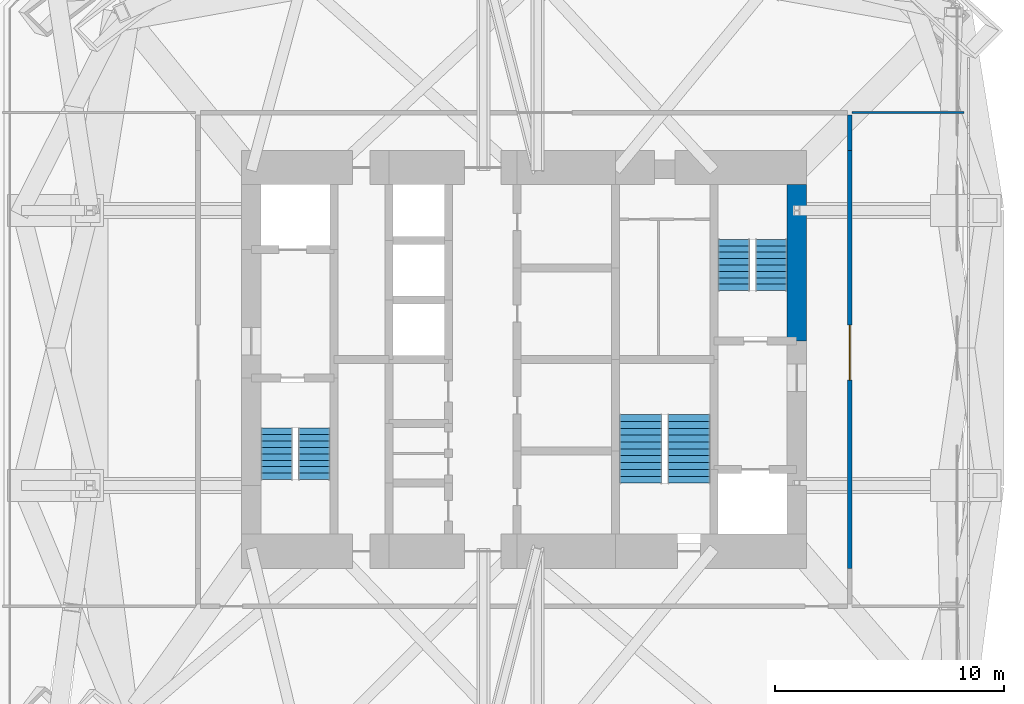
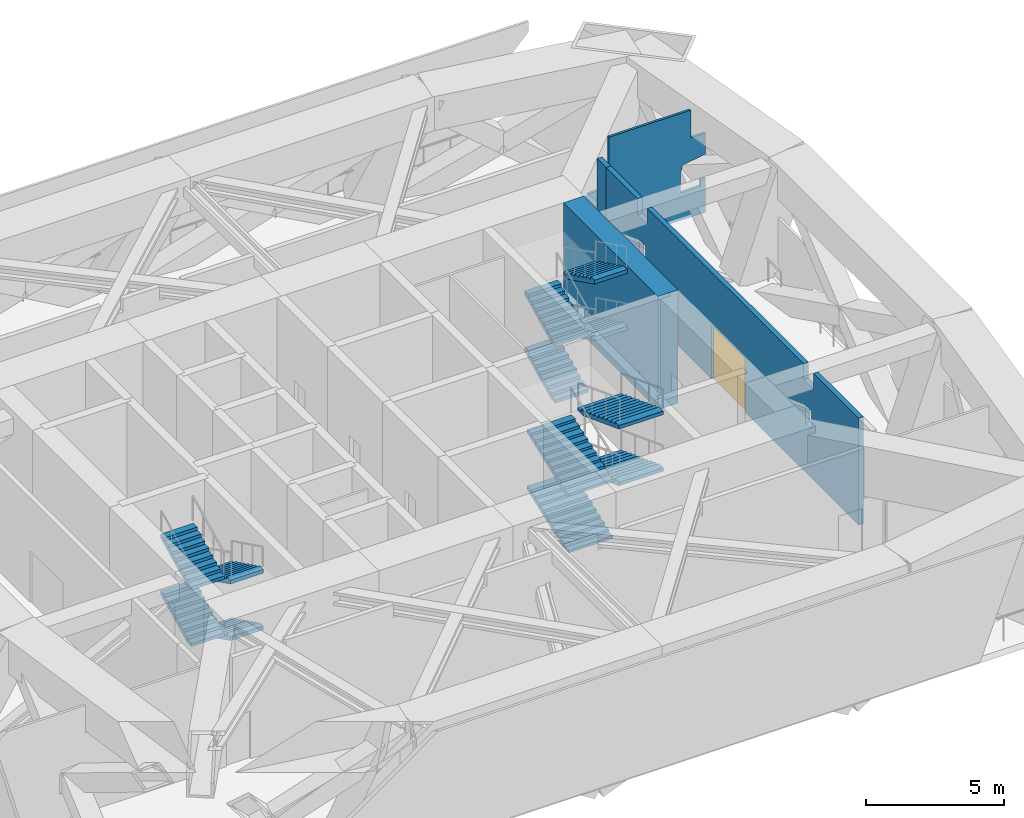
# One storey, part 6 of 8: 12 stair flights, 4 walls, 1 door, 1 opening, 3 elements without a shape of their own.
"""IFC4 building model written with IfcOpenShell, lengths in metres."""

from ifc_helpers import new_model, si_unit, direction, frame, frame_2d, origin, place, context, subcontext, project, spatial, polyline, rectangle, outline, extrude, material, layer, layer_set, constituent, constituent_set, type_object, element, fill, aggregate, save


model = new_model("IFC4")

# Units and contexts
model_context = context("Model", 3, precision=1e-05, world=origin(), true_north=direction((0.0, 1.0)))
body_context = subcontext(model_context, "Body", "Model", "MODEL_VIEW")
ifc_project = project(units=[si_unit("LENGTHUNIT", "METRE"), si_unit("AREAUNIT", "SQUARE_METRE"), si_unit("VOLUMEUNIT", "CUBIC_METRE"), si_unit("PLANEANGLEUNIT", "RADIAN"), si_unit("MASSUNIT", "GRAM", prefix="KILO")], contexts=[model_context])

# Site, building, storey
site_placement = place(None, origin())
site = spatial("IfcSite", under=ifc_project, at=site_placement, CompositionType="ELEMENT")
building_placement = place(site_placement, origin())
building = spatial("IfcBuilding", under=site, at=building_placement, Name="Jalousie Tower", CompositionType="ELEMENT")
storey_placement = place(building_placement, frame((0.0, 0.0, 149.35009765625)))
storey = spatial("IfcBuildingStorey", under=building, at=storey_placement, Name="L40", CompositionType="ELEMENT", Elevation=149.35009765625)

# Walls
ifc_material_1 = material(Name="Concrete f'c 120 MPa", Category="concrete")
ifc_layer = layer(ifc_material_1, 0.85009765625)
ifc_layer_set = layer_set([ifc_layer], Name="Concrete f'c 120 MPa")
wall_type_1 = type_object("IfcWallType", Name="CORE WALL 850", PredefinedType="SHEAR", material=ifc_layer_set)
wall_1_placement = place(storey_placement, frame((43.800048828125, 19.300048828125, 0.0), z_axis=(0.0, 0.0, 1.0), x_axis=(0.0, 1.0, 0.0)))
element("IfcWall", 1, at=wall_1_placement, inside=storey, type_object=wall_type_1, Name="Core wall EC L40", PredefinedType="SHEAR", context=body_context, shape_type="SweptSolid", body=[
    extrude(rectangle(XDim=6.824951171875, YDim=0.85009765625, at=frame_2d((3.41259765625, 0.0))), origin(), (0.0, 0.0, 1.0), 5.0),
])
ifc_material_2 = material(Name="Concrete block ASTM C90", Category="concrete")
ifc_constituent_1 = constituent(ifc_material_2, Name="Body")
ifc_material_3 = material(Name="Render")
ifc_constituent_2 = constituent(ifc_material_3, Name="Finish")
ifc_constituent_set_1 = constituent_set(constituents=[ifc_constituent_1, ifc_constituent_2])
wall_type_2 = type_object("IfcWallType", Name="CORRIDOR WALL 200", PredefinedType="PARTITIONING", material=ifc_constituent_set_1)
wall_2_placement = place(storey_placement, frame((46.125, 27.625, 0.0), z_axis=(0.0, 0.0, 1.0), x_axis=(0.0, 1.0, 0.0)))
element("IfcWall", 2, at=wall_2_placement, inside=storey, type_object=wall_type_2, Name="Corridor Wall 200 L40", PredefinedType="PARTITIONING", context=body_context, shape_type="SweptSolid", body=[
    extrude(outline(polyline([(0.0, 0.0), (1.550048828125, 0.0), (1.550048828125, 2.52001953125), (0.656494140625, 2.52001953125), (0.656494140625, 4.719970703125), (0.0, 4.719970703125), (0.0, 0.0)])), frame((0.0, 0.10009765625, 0.0), z_axis=(0.0, -1.0, 0.0), x_axis=(1.0, 0.0, 0.0)), (0.0, 0.0, 1.0), 0.199951171875),
])

# Wall, opening, door
wall_3_placement = place(storey_placement, frame((46.125, 9.375, 0.0), z_axis=(0.0, 0.0, 1.0), x_axis=(0.0, 1.0, 0.0)))
wall_3 = element("IfcWall", 3, at=wall_3_placement, inside=storey, type_object=wall_type_2, Name="Corridor Wall 200 L40", PredefinedType="PARTITIONING", context=body_context, shape_type="SweptSolid", body=[
    extrude(outline(polyline([(18.25, 0.0), (18.25, 4.719970703125), (15.97509765625, 4.719970703125), (15.97509765625, 4.02001953125), (15.27490234375, 4.02001953125), (15.27490234375, 4.719970703125), (3.97509765625, 4.719970703125), (3.97509765625, 4.02001953125), (3.27490234375, 4.02001953125), (3.27490234375, 4.719970703125), (0.0, 4.719970703125), (0.0, 0.0), (18.25, 0.0)]), holes=[polyline([(3.396484375, 2.1708984375), (3.396484375, 2.991943359375), (3.853515625, 2.991943359375), (3.853515625, 2.1708984375), (3.396484375, 2.1708984375)]), polyline([(15.396484375, 2.1708984375), (15.396484375, 2.991943359375), (15.853515625, 2.991943359375), (15.853515625, 2.1708984375), (15.396484375, 2.1708984375)])]), frame((0.0, 0.10009765625, 0.0), z_axis=(0.0, -1.0, 0.0), x_axis=(1.0, 0.0, 0.0)), (0.0, 0.0, 1.0), 0.199951171875),
])
opening_placement = place(wall_3_placement, frame((8.22509765625, 0.0, 0.0)))
opening = element("IfcOpeningElement", 4, at=opening_placement, cuts=wall_3, Name="Opening D9", PredefinedType="OPENING", context=body_context, shape_type="SweptSolid", body=[
    extrude(rectangle(XDim=2.39990234375, YDim=2.39990234375, at=frame_2d((1.199951171875, 1.199951171875))), frame((0.0, 0.10986328125, 0.0), z_axis=(0.0, -1.0, 0.0), x_axis=(1.0, 0.0, 0.0)), (0.0, 0.0, 1.0), 0.219970703125),
])
ifc_material_4 = material(Name="Steel fire door", Category="steel")
door_type = type_object("IfcDoorType", Name="PLANT DOOR 2400", OperationType="DOUBLE_DOOR_SINGLE_SWING", PredefinedType="DOOR", material=ifc_material_4)
door_placement = place(opening_placement, frame((2.39990234375, 0.0, 0.0), z_axis=(0.0, 0.0, 1.0), x_axis=(-1.0, 0.0, 0.0)))
door = element("IfcDoor", 5, at=door_placement, inside=storey, type_object=door_type, Name="Water tank room door", OperationType="DOUBLE_DOOR_SINGLE_SWING", OverallHeight=2.39990234375, OverallWidth=2.39990234375, PredefinedType="DOOR", context=body_context, shape_type="SweptSolid", body=[
    extrude(rectangle(XDim=2.39990234375, YDim=2.39990234375, at=frame_2d((1.199951171875, 1.199951171875))), frame((0.0, 0.02490234375, 0.0), z_axis=(0.0, -1.0, 0.0), x_axis=(1.0, 0.0, 0.0)), (0.0, 0.0, 1.0), 0.050048828125),
])
fill(opening, door)

# Wall
ifc_material_5 = material(Name="Gypsum board", Category="gypsum")
ifc_constituent_3 = constituent(ifc_material_5, Name="Body")
ifc_material_6 = material(Name="Light-gauge steel studs ASTM A653 SS Grade 33", Category="steel")
ifc_constituent_4 = constituent(ifc_material_6, Name="Framing")
ifc_constituent_set_2 = constituent_set(constituents=[ifc_constituent_3, ifc_constituent_4])
wall_type_3 = type_object("IfcWallType", Name="PARTITION 100", PredefinedType="PARTITIONING", material=ifc_constituent_set_2)
wall_4_placement = place(storey_placement, frame((46.22509765625, 29.27490234375, 0.0), z_axis=(0.0, 0.0, 1.0), x_axis=(1.0, 0.0, 0.0)))
element("IfcWall", 6, at=wall_4_placement, inside=storey, type_object=wall_type_3, Name="Partition 100 L40", PredefinedType="PARTITIONING", context=body_context, shape_type="SweptSolid", body=[
    extrude(outline(polyline([(0.8359375, 2.52001953125), (0.0, 2.52001953125), (0.0, 0.0), (4.875, 0.0), (4.875, 1.5), (4.660400390625, 1.5), (4.660400390625, 1.296875), (4.65576171875, 1.2294921875), (3.835693359375, 1.21044921875), (3.835693359375, 2.144775390625), (3.840576171875, 2.2119140625), (3.89599609375, 2.21337890625), (3.89599609375, 2.356689453125), (3.934814453125, 2.41552734375), (4.797119140625, 2.5556640625), (4.875, 2.5556640625), (4.875, 3.5), (4.2626953125, 3.5), (4.2626953125, 4.719970703125), (0.8359375, 4.719970703125), (0.8359375, 2.52001953125)])), frame((0.0, 0.050048828125, 0.0), z_axis=(0.0, -1.0, 0.0), x_axis=(1.0, 0.0, 0.0)), (0.0, 0.0, 1.0), 0.10009765625),
])

# Stair, stair flights
ifc_material_7 = material(Name="Concrete f'c 40 MPa", Category="concrete")
stair_type = type_object("IfcStairType", Name="EXIT STAIR", PredefinedType="HALF_TURN_STAIR", material=ifc_material_7)
stair_1_placement = place(storey_placement, origin())
stair_1 = element("IfcStair", 7, at=stair_1_placement, inside=storey, type_object=stair_type, Name="Exit stair A L40", PredefinedType="HALF_TURN_STAIR")
ifc_material_8 = material(Name="Concrete f'c 40 MPa", Category="concrete")
stair_flight_type = type_object("IfcStairFlightType", Name="STAIR FLIGHT", PredefinedType="STRAIGHT", material=ifc_material_8)
stair_flight_1_placement = place(storey_placement, frame((22.737548828125, 15.49755859375, 0.0), z_axis=(0.0, 0.0, 1.0), x_axis=(0.0, -1.0, 0.0)))
stair_flight_1 = element("IfcStairFlight", 8, at=stair_flight_1_placement, type_object=stair_flight_type, Name="ST-A flight 1", NumberOfRisers=9, NumberOfTreads=8, PredefinedType="STRAIGHT", RiserHeight=0.138888889, TreadLength=0.28, context=body_context, shape_type="SweptSolid", body=[
    extrude(outline(polyline([(0.0, 0.0), (0.0, 0.138916015625), (0.280029296875, 0.138916015625), (0.280029296875, 0.27783203125), (0.56005859375, 0.27783203125), (0.56005859375, 0.416748046875), (0.840087890625, 0.416748046875), (0.840087890625, 0.5556640625), (1.1201171875, 0.5556640625), (1.1201171875, 0.6943359375), (1.39990234375, 0.6943359375), (1.39990234375, 0.833251953125), (1.679931640625, 0.833251953125), (1.679931640625, 0.97216796875), (1.9599609375, 0.97216796875), (1.9599609375, 1.111083984375), (2.239990234375, 1.111083984375), (2.239990234375, 1.25), (2.239990234375, 0.94384765625), (0.33740234375, 0.0), (0.0, 0.0)])), frame((0.0, 0.6875, 0.0), z_axis=(0.0, -1.0, 0.0), x_axis=(1.0, 0.0, 0.0)), (0.0, 0.0, 1.0), 1.375),
])
stair_flight_2_placement = place(storey_placement, frame((21.112548828125, 13.257568359375, 1.25), z_axis=(0.0, 0.0, 1.0), x_axis=(0.0, 1.0, 0.0)))
stair_flight_2 = element("IfcStairFlight", 9, at=stair_flight_2_placement, type_object=stair_flight_type, Name="ST-A flight 2", NumberOfRisers=9, NumberOfTreads=8, PredefinedType="STRAIGHT", RiserHeight=0.138888889, TreadLength=0.28, context=body_context, shape_type="SweptSolid", body=[
    extrude(outline(polyline([(0.0, 0.0), (0.0, 0.138916015625), (0.280029296875, 0.138916015625), (0.280029296875, 0.27783203125), (0.56005859375, 0.27783203125), (0.56005859375, 0.416748046875), (0.840087890625, 0.416748046875), (0.840087890625, 0.5556640625), (1.1201171875, 0.5556640625), (1.1201171875, 0.6943359375), (1.39990234375, 0.6943359375), (1.39990234375, 0.833251953125), (1.679931640625, 0.833251953125), (1.679931640625, 0.97216796875), (1.9599609375, 0.97216796875), (1.9599609375, 1.111083984375), (2.239990234375, 1.111083984375), (2.239990234375, 1.25), (2.239990234375, 0.94384765625), (0.33740234375, 0.0), (0.0, 0.0)])), frame((0.0, 0.6875, 0.0), z_axis=(0.0, -1.0, 0.0), x_axis=(1.0, 0.0, 0.0)), (0.0, 0.0, 1.0), 1.375),
])
stair_flight_3_placement = place(storey_placement, frame((22.737548828125, 15.49755859375, 2.5), z_axis=(0.0, 0.0, 1.0), x_axis=(0.0, -1.0, 0.0)))
stair_flight_3 = element("IfcStairFlight", 10, at=stair_flight_3_placement, type_object=stair_flight_type, Name="ST-A flight 3", NumberOfRisers=9, NumberOfTreads=8, PredefinedType="STRAIGHT", RiserHeight=0.138888889, TreadLength=0.28, context=body_context, shape_type="SweptSolid", body=[
    extrude(outline(polyline([(0.0, 0.0), (0.0, 0.138916015625), (0.280029296875, 0.138916015625), (0.280029296875, 0.27783203125), (0.56005859375, 0.27783203125), (0.56005859375, 0.416748046875), (0.840087890625, 0.416748046875), (0.840087890625, 0.5556640625), (1.1201171875, 0.5556640625), (1.1201171875, 0.6943359375), (1.39990234375, 0.6943359375), (1.39990234375, 0.833251953125), (1.679931640625, 0.833251953125), (1.679931640625, 0.97216796875), (1.9599609375, 0.97216796875), (1.9599609375, 1.111083984375), (2.239990234375, 1.111083984375), (2.239990234375, 1.25), (2.239990234375, 0.94384765625), (0.33740234375, 0.0), (0.0, 0.0)])), frame((0.0, 0.6875, 0.0), z_axis=(0.0, -1.0, 0.0), x_axis=(1.0, 0.0, 0.0)), (0.0, 0.0, 1.0), 1.375),
])
stair_flight_4_placement = place(storey_placement, frame((21.112548828125, 13.257568359375, 3.75), z_axis=(0.0, 0.0, 1.0), x_axis=(0.0, 1.0, 0.0)))
stair_flight_4 = element("IfcStairFlight", 11, at=stair_flight_4_placement, type_object=stair_flight_type, Name="ST-A flight 4", NumberOfRisers=9, NumberOfTreads=8, PredefinedType="STRAIGHT", RiserHeight=0.138888889, TreadLength=0.28, context=body_context, shape_type="SweptSolid", body=[
    extrude(outline(polyline([(0.0, 0.0), (0.0, 0.138916015625), (0.280029296875, 0.138916015625), (0.280029296875, 0.27783203125), (0.56005859375, 0.27783203125), (0.56005859375, 0.416748046875), (0.840087890625, 0.416748046875), (0.840087890625, 0.5556640625), (1.1201171875, 0.5556640625), (1.1201171875, 0.6943359375), (1.39990234375, 0.6943359375), (1.39990234375, 0.833251953125), (1.679931640625, 0.833251953125), (1.679931640625, 0.97216796875), (1.9599609375, 0.97216796875), (1.9599609375, 1.111083984375), (2.239990234375, 1.111083984375), (2.239990234375, 1.25), (2.239990234375, 0.94384765625), (0.33740234375, 0.0), (0.0, 0.0)])), frame((0.0, 0.6875, 0.0), z_axis=(0.0, -1.0, 0.0), x_axis=(1.0, 0.0, 0.0)), (0.0, 0.0, 1.0), 1.375),
])
aggregate(stair_1, [stair_flight_1, stair_flight_2, stair_flight_3, stair_flight_4])

stair_2_placement = place(storey_placement, origin())
stair_2 = element("IfcStair", 12, at=stair_2_placement, inside=storey, type_object=stair_type, Name="Exit stair B L40", PredefinedType="HALF_TURN_STAIR")
stair_flight_5_placement = place(storey_placement, frame((41.0625, 21.50244140625, 0.0), z_axis=(0.0, 0.0, 1.0), x_axis=(0.0, 1.0, 0.0)))
stair_flight_5 = element("IfcStairFlight", 13, at=stair_flight_5_placement, type_object=stair_flight_type, Name="ST-B flight 1", NumberOfRisers=9, NumberOfTreads=8, PredefinedType="STRAIGHT", RiserHeight=0.138888889, TreadLength=0.28, context=body_context, shape_type="SweptSolid", body=[
    extrude(outline(polyline([(0.0, 0.0), (0.0, 0.138916015625), (0.280029296875, 0.138916015625), (0.280029296875, 0.27783203125), (0.56005859375, 0.27783203125), (0.56005859375, 0.416748046875), (0.840087890625, 0.416748046875), (0.840087890625, 0.5556640625), (1.1201171875, 0.5556640625), (1.1201171875, 0.6943359375), (1.39990234375, 0.6943359375), (1.39990234375, 0.833251953125), (1.679931640625, 0.833251953125), (1.679931640625, 0.97216796875), (1.9599609375, 0.97216796875), (1.9599609375, 1.111083984375), (2.239990234375, 1.111083984375), (2.239990234375, 1.25), (2.239990234375, 0.94384765625), (0.33740234375, 0.0), (0.0, 0.0)])), frame((0.0, 0.6875, 0.0), z_axis=(0.0, -1.0, 0.0), x_axis=(1.0, 0.0, 0.0)), (0.0, 0.0, 1.0), 1.375),
])
stair_flight_6_placement = place(storey_placement, frame((42.6875, 23.742431640625, 1.25), z_axis=(0.0, 0.0, 1.0), x_axis=(0.0, -1.0, 0.0)))
stair_flight_6 = element("IfcStairFlight", 14, at=stair_flight_6_placement, type_object=stair_flight_type, Name="ST-B flight 2", NumberOfRisers=9, NumberOfTreads=8, PredefinedType="STRAIGHT", RiserHeight=0.138888889, TreadLength=0.28, context=body_context, shape_type="SweptSolid", body=[
    extrude(outline(polyline([(0.0, 0.0), (0.0, 0.138916015625), (0.280029296875, 0.138916015625), (0.280029296875, 0.27783203125), (0.56005859375, 0.27783203125), (0.56005859375, 0.416748046875), (0.840087890625, 0.416748046875), (0.840087890625, 0.5556640625), (1.1201171875, 0.5556640625), (1.1201171875, 0.6943359375), (1.39990234375, 0.6943359375), (1.39990234375, 0.833251953125), (1.679931640625, 0.833251953125), (1.679931640625, 0.97216796875), (1.9599609375, 0.97216796875), (1.9599609375, 1.111083984375), (2.239990234375, 1.111083984375), (2.239990234375, 1.25), (2.239990234375, 0.94384765625), (0.33740234375, 0.0), (0.0, 0.0)])), frame((0.0, 0.6875, 0.0), z_axis=(0.0, -1.0, 0.0), x_axis=(1.0, 0.0, 0.0)), (0.0, 0.0, 1.0), 1.375),
])
stair_flight_7_placement = place(storey_placement, frame((41.0625, 21.50244140625, 2.5), z_axis=(0.0, 0.0, 1.0), x_axis=(0.0, 1.0, 0.0)))
stair_flight_7 = element("IfcStairFlight", 15, at=stair_flight_7_placement, type_object=stair_flight_type, Name="ST-B flight 3", NumberOfRisers=9, NumberOfTreads=8, PredefinedType="STRAIGHT", RiserHeight=0.138888889, TreadLength=0.28, context=body_context, shape_type="SweptSolid", body=[
    extrude(outline(polyline([(0.0, 0.0), (0.0, 0.138916015625), (0.280029296875, 0.138916015625), (0.280029296875, 0.27783203125), (0.56005859375, 0.27783203125), (0.56005859375, 0.416748046875), (0.840087890625, 0.416748046875), (0.840087890625, 0.5556640625), (1.1201171875, 0.5556640625), (1.1201171875, 0.6943359375), (1.39990234375, 0.6943359375), (1.39990234375, 0.833251953125), (1.679931640625, 0.833251953125), (1.679931640625, 0.97216796875), (1.9599609375, 0.97216796875), (1.9599609375, 1.111083984375), (2.239990234375, 1.111083984375), (2.239990234375, 1.25), (2.239990234375, 0.94384765625), (0.33740234375, 0.0), (0.0, 0.0)])), frame((0.0, 0.6875, 0.0), z_axis=(0.0, -1.0, 0.0), x_axis=(1.0, 0.0, 0.0)), (0.0, 0.0, 1.0), 1.375),
])
stair_flight_8_placement = place(storey_placement, frame((42.6875, 23.742431640625, 3.75), z_axis=(0.0, 0.0, 1.0), x_axis=(0.0, -1.0, 0.0)))
stair_flight_8 = element("IfcStairFlight", 16, at=stair_flight_8_placement, type_object=stair_flight_type, Name="ST-B flight 4", NumberOfRisers=9, NumberOfTreads=8, PredefinedType="STRAIGHT", RiserHeight=0.138888889, TreadLength=0.28, context=body_context, shape_type="SweptSolid", body=[
    extrude(outline(polyline([(0.0, 0.0), (0.0, 0.138916015625), (0.280029296875, 0.138916015625), (0.280029296875, 0.27783203125), (0.56005859375, 0.27783203125), (0.56005859375, 0.416748046875), (0.840087890625, 0.416748046875), (0.840087890625, 0.5556640625), (1.1201171875, 0.5556640625), (1.1201171875, 0.6943359375), (1.39990234375, 0.6943359375), (1.39990234375, 0.833251953125), (1.679931640625, 0.833251953125), (1.679931640625, 0.97216796875), (1.9599609375, 0.97216796875), (1.9599609375, 1.111083984375), (2.239990234375, 1.111083984375), (2.239990234375, 1.25), (2.239990234375, 0.94384765625), (0.33740234375, 0.0), (0.0, 0.0)])), frame((0.0, 0.6875, 0.0), z_axis=(0.0, -1.0, 0.0), x_axis=(1.0, 0.0, 0.0)), (0.0, 0.0, 1.0), 1.375),
])
aggregate(stair_2, [stair_flight_5, stair_flight_6, stair_flight_7, stair_flight_8])

stair_3_placement = place(storey_placement, origin())
stair_3 = element("IfcStair", 17, at=stair_3_placement, inside=storey, type_object=stair_type, Name="Exit stair C L40", PredefinedType="HALF_TURN_STAIR")
stair_flight_9_placement = place(storey_placement, frame((37.0, 13.097412109375, 0.0), z_axis=(0.0, 0.0, 1.0), x_axis=(0.0, 1.0, 0.0)))
stair_flight_9 = element("IfcStairFlight", 18, at=stair_flight_9_placement, type_object=stair_flight_type, Name="ST-C flight 1", NumberOfRisers=11, NumberOfTreads=10, PredefinedType="STRAIGHT", RiserHeight=0.113636364, TreadLength=0.3, context=body_context, shape_type="SweptSolid", body=[
    extrude(outline(polyline([(0.0, 0.0), (0.0, 0.113525390625), (0.300048828125, 0.113525390625), (0.300048828125, 0.227294921875), (0.60009765625, 0.227294921875), (0.60009765625, 0.3408203125), (0.89990234375, 0.3408203125), (0.89990234375, 0.45458984375), (1.199951171875, 0.45458984375), (1.199951171875, 0.568115234375), (1.5, 0.568115234375), (1.5, 0.681884765625), (1.800048828125, 0.681884765625), (1.800048828125, 0.79541015625), (2.10009765625, 0.79541015625), (2.10009765625, 0.9091796875), (2.39990234375, 0.9091796875), (2.39990234375, 1.022705078125), (2.699951171875, 1.022705078125), (2.699951171875, 1.136474609375), (3.0, 1.136474609375), (3.0, 1.25), (3.0, 0.97607421875), (0.423095703125, 0.0), (0.0, 0.0)])), frame((0.0, 0.925048828125, 0.0), z_axis=(0.0, -1.0, 0.0), x_axis=(1.0, 0.0, 0.0)), (0.0, 0.0, 1.0), 1.85009765625),
])
stair_flight_10_placement = place(storey_placement, frame((39.10009765625, 16.097412109375, 1.25), z_axis=(0.0, 0.0, 1.0), x_axis=(0.0, -1.0, 0.0)))
stair_flight_10 = element("IfcStairFlight", 19, at=stair_flight_10_placement, type_object=stair_flight_type, Name="ST-C flight 2", NumberOfRisers=11, NumberOfTreads=10, PredefinedType="STRAIGHT", RiserHeight=0.113636364, TreadLength=0.3, context=body_context, shape_type="SweptSolid", body=[
    extrude(outline(polyline([(0.0, 0.0), (0.0, 0.113525390625), (0.300048828125, 0.113525390625), (0.300048828125, 0.227294921875), (0.60009765625, 0.227294921875), (0.60009765625, 0.3408203125), (0.89990234375, 0.3408203125), (0.89990234375, 0.45458984375), (1.199951171875, 0.45458984375), (1.199951171875, 0.568115234375), (1.5, 0.568115234375), (1.5, 0.681884765625), (1.800048828125, 0.681884765625), (1.800048828125, 0.79541015625), (2.10009765625, 0.79541015625), (2.10009765625, 0.9091796875), (2.39990234375, 0.9091796875), (2.39990234375, 1.022705078125), (2.699951171875, 1.022705078125), (2.699951171875, 1.136474609375), (3.0, 1.136474609375), (3.0, 1.25), (3.0, 0.97607421875), (0.423095703125, 0.0), (0.0, 0.0)])), frame((0.0, 0.925048828125, 0.0), z_axis=(0.0, -1.0, 0.0), x_axis=(1.0, 0.0, 0.0)), (0.0, 0.0, 1.0), 1.85009765625),
])
stair_flight_11_placement = place(storey_placement, frame((37.0, 13.097412109375, 2.5), z_axis=(0.0, 0.0, 1.0), x_axis=(0.0, 1.0, 0.0)))
stair_flight_11 = element("IfcStairFlight", 20, at=stair_flight_11_placement, type_object=stair_flight_type, Name="ST-C flight 3", NumberOfRisers=11, NumberOfTreads=10, PredefinedType="STRAIGHT", RiserHeight=0.113636364, TreadLength=0.3, context=body_context, shape_type="SweptSolid", body=[
    extrude(outline(polyline([(0.0, 0.0), (0.0, 0.113525390625), (0.300048828125, 0.113525390625), (0.300048828125, 0.227294921875), (0.60009765625, 0.227294921875), (0.60009765625, 0.3408203125), (0.89990234375, 0.3408203125), (0.89990234375, 0.45458984375), (1.199951171875, 0.45458984375), (1.199951171875, 0.568115234375), (1.5, 0.568115234375), (1.5, 0.681884765625), (1.800048828125, 0.681884765625), (1.800048828125, 0.79541015625), (2.10009765625, 0.79541015625), (2.10009765625, 0.9091796875), (2.39990234375, 0.9091796875), (2.39990234375, 1.022705078125), (2.699951171875, 1.022705078125), (2.699951171875, 1.136474609375), (3.0, 1.136474609375), (3.0, 1.25), (3.0, 0.97607421875), (0.423095703125, 0.0), (0.0, 0.0)])), frame((0.0, 0.925048828125, 0.0), z_axis=(0.0, -1.0, 0.0), x_axis=(1.0, 0.0, 0.0)), (0.0, 0.0, 1.0), 1.85009765625),
])
stair_flight_12_placement = place(storey_placement, frame((39.10009765625, 16.097412109375, 3.75), z_axis=(0.0, 0.0, 1.0), x_axis=(0.0, -1.0, 0.0)))
stair_flight_12 = element("IfcStairFlight", 21, at=stair_flight_12_placement, type_object=stair_flight_type, Name="ST-C flight 4", NumberOfRisers=11, NumberOfTreads=10, PredefinedType="STRAIGHT", RiserHeight=0.113636364, TreadLength=0.3, context=body_context, shape_type="SweptSolid", body=[
    extrude(outline(polyline([(0.0, 0.0), (0.0, 0.113525390625), (0.300048828125, 0.113525390625), (0.300048828125, 0.227294921875), (0.60009765625, 0.227294921875), (0.60009765625, 0.3408203125), (0.89990234375, 0.3408203125), (0.89990234375, 0.45458984375), (1.199951171875, 0.45458984375), (1.199951171875, 0.568115234375), (1.5, 0.568115234375), (1.5, 0.681884765625), (1.800048828125, 0.681884765625), (1.800048828125, 0.79541015625), (2.10009765625, 0.79541015625), (2.10009765625, 0.9091796875), (2.39990234375, 0.9091796875), (2.39990234375, 1.022705078125), (2.699951171875, 1.022705078125), (2.699951171875, 1.136474609375), (3.0, 1.136474609375), (3.0, 1.25), (3.0, 0.97607421875), (0.423095703125, 0.0), (0.0, 0.0)])), frame((0.0, 0.925048828125, 0.0), z_axis=(0.0, -1.0, 0.0), x_axis=(1.0, 0.0, 0.0)), (0.0, 0.0, 1.0), 1.85009765625),
])
aggregate(stair_3, [stair_flight_9, stair_flight_10, stair_flight_11, stair_flight_12])

save(model, "model.ifc")
